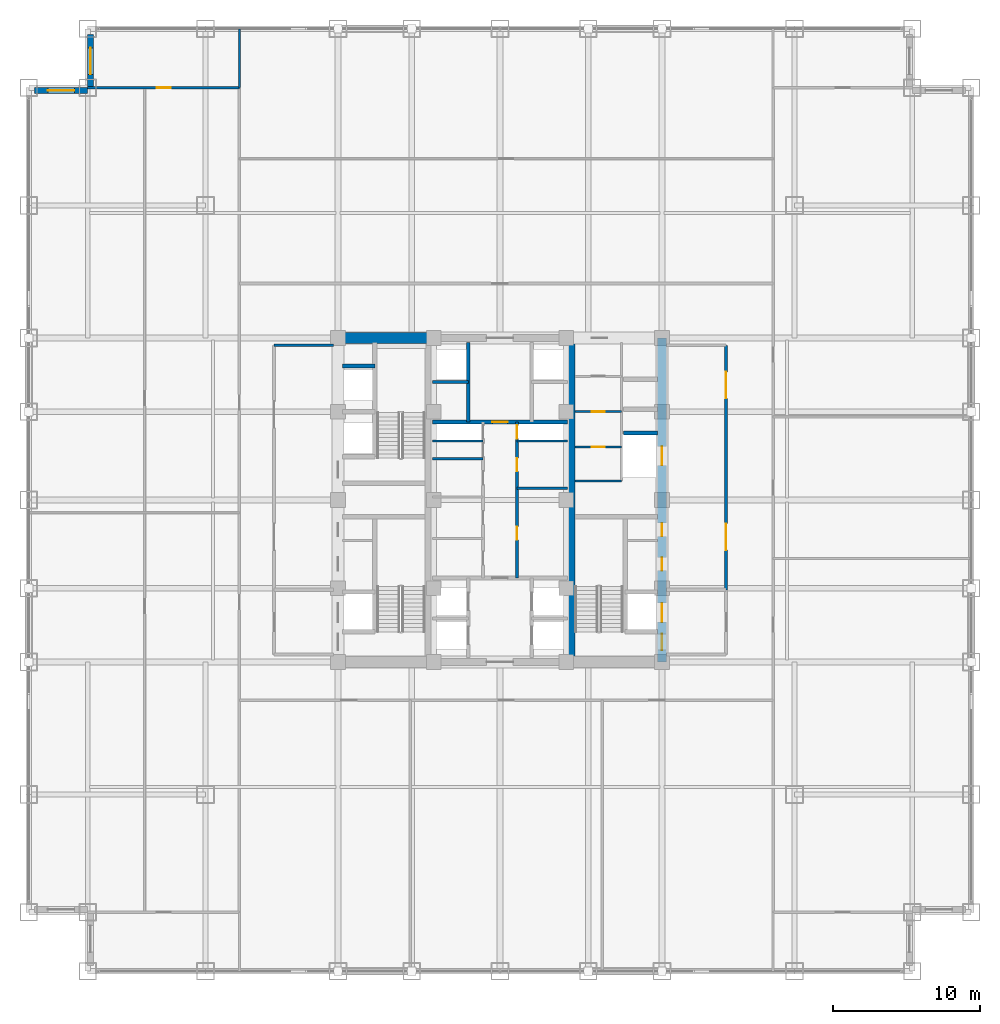
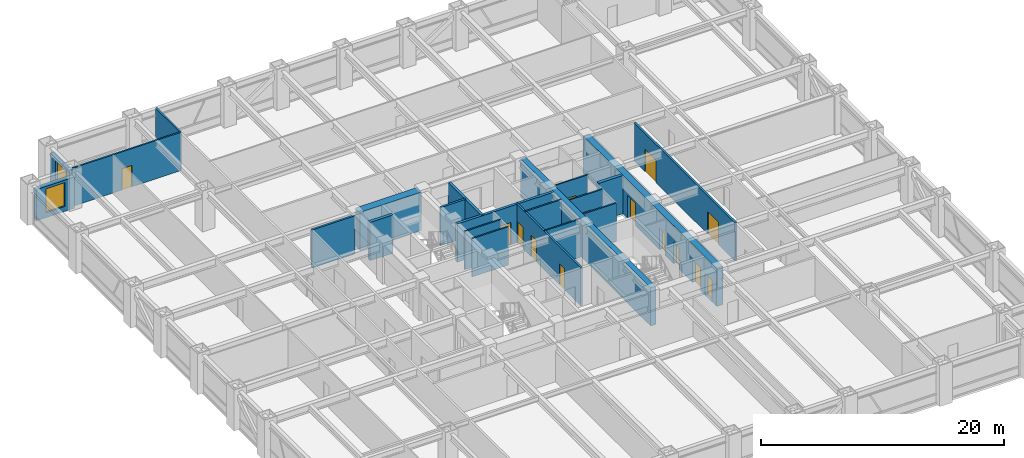
# One storey, part 25 of 27: 22 walls, 14 doors, 2 windows, 16 openings.
"""IFC4 building model written with IfcOpenShell, lengths in metres."""

import ifcopenshell
import ifcopenshell.guid

model = None  # the IFC model being written
_history = None  # IfcOwnerHistory: only IFC2X3 demands one
_inside = {}  # id of a spatial element -> (the spatial element, [elements in it])
_under = {}  # id of a project, library or spatial element -> (it, [spatial elements below it])
_declared = {}  # id of a project -> (the project, [libraries it declares])
_typed = {}  # id of a type object -> (the type object, [elements of that type])
_made_of = {}  # id of a material, layer set ... -> (it, [elements and type objects made of it])


def new_model(schema):
    """Start an empty IFC model of exactly this schema.

    Asked for "IFC4X3", IfcOpenShell would pick the latest addendum, in which some entities
    have other attributes; the version numbers below select the first issue.
    IFC2X3 requires an IfcOwnerHistory on every rooted entity: one is made here for all.
    """
    global model, _history
    if schema == "IFC4X3":
        model = ifcopenshell.file(schema_version=(4, 3, 0, 0))
    else:
        model = ifcopenshell.file(schema=schema)
    _inside.clear()
    _under.clear()
    _declared.clear()
    _typed.clear()
    _made_of.clear()
    _history = None
    if model.schema == "IFC2X3":
        org = make("IfcOrganization", Name="unknown")
        user = make(
            "IfcPersonAndOrganization",
            ThePerson=make("IfcPerson", FamilyName="unknown"),
            TheOrganization=org,
        )
        app = make(
            "IfcApplication",
            ApplicationDeveloper=org,
            Version="unknown",
            ApplicationFullName="unknown",
            ApplicationIdentifier="unknown",
        )
        _history = make(
            "IfcOwnerHistory",
            OwningUser=user,
            OwningApplication=app,
            ChangeAction="ADDED",
            CreationDate=0,
        )
    return model


def make(cls, **values):
    """One entity of the class cls with the attributes given. An attribute that is None is left unset."""
    return model.create_entity(
        cls, **{name: value for name, value in values.items() if value is not None}
    )


def rooted(cls, **values):
    """An entity with a GlobalId (a new one), such as an element, a storey or a relation."""
    return make(cls, GlobalId=ifcopenshell.guid.new(), OwnerHistory=_history, **values)


def si_unit(unit_type, name, prefix=None):
    """IfcSIUnit, for example si_unit("LENGTHUNIT", "METRE", prefix="MILLI")."""
    return make("IfcSIUnit", UnitType=unit_type, Prefix=prefix, Name=name)


def assignment(units):
    """IfcUnitAssignment: the units of a project."""
    return None if units is None else make("IfcUnitAssignment", Units=units)


def point(xyz):
    """IfcCartesianPoint."""
    return None if xyz is None else make("IfcCartesianPoint", Coordinates=xyz)


def direction(xyz):
    """IfcDirection."""
    return None if xyz is None else make("IfcDirection", DirectionRatios=xyz)


def frame(location, z_axis=None, x_axis=None):
    """IfcAxis2Placement3D, a coordinate frame: its origin and axes. An axis left out is left unset."""
    return make(
        "IfcAxis2Placement3D",
        Location=point(location),
        Axis=direction(z_axis),
        RefDirection=direction(x_axis),
    )


def frame_2d(location, x_axis=None):
    """IfcAxis2Placement2D, a coordinate frame in the plane: its origin and x axis."""
    return make(
        "IfcAxis2Placement2D", Location=point(location), RefDirection=direction(x_axis)
    )


def origin():
    """The frame at (0, 0, 0) with its axes left unset."""
    return frame((0.0, 0.0, 0.0))


def place(relative_to, where):
    """IfcLocalPlacement: puts the frame where relative to a parent placement (None: the world)."""
    return make(
        "IfcLocalPlacement", PlacementRelTo=relative_to, RelativePlacement=where
    )


def context(
    kind, dimensions, precision=None, world=None, true_north=None, identifier=None
):
    """IfcGeometricRepresentationContext, for example the 3D "Model" context."""
    return make(
        "IfcGeometricRepresentationContext",
        ContextIdentifier=identifier,
        ContextType=kind,
        CoordinateSpaceDimension=dimensions,
        Precision=precision,
        WorldCoordinateSystem=world,
        TrueNorth=true_north,
    )


def subcontext(parent, identifier, kind, view, scale=None):
    """IfcGeometricRepresentationSubContext, for example "Body" below "Model"."""
    return make(
        "IfcGeometricRepresentationSubContext",
        ContextIdentifier=identifier,
        ContextType=kind,
        ParentContext=parent,
        TargetScale=scale,
        TargetView=view,
    )


def project(units=None, contexts=None):
    """IfcProject with its units and contexts."""
    return rooted(
        "IfcProject",
        Name="project",
        RepresentationContexts=contexts,
        UnitsInContext=assignment(units),
    )


def spatial(cls, under=None, at=None, **own):
    """A site, building, storey or space (cls), placed at a placement, below another one or the project."""
    s = rooted(cls, ObjectPlacement=at, **own)
    if under is not None:
        _under.setdefault(under.id(), (under, []))[1].append(s)
    return s


def profile(cls, at=None, kind="AREA", **sizes):
    """A parametric profile (cls). Its sizes go by their IFC names, for example OverallWidth=200.0."""
    return make(cls, ProfileType=kind, Position=at, **sizes)


def rectangle(**sizes):
    """IfcRectangleProfileDef."""
    return profile("IfcRectangleProfileDef", **sizes)


def extrude(swept, where, along, depth):
    """IfcExtrudedAreaSolid: the profile swept, set in the frame where, extruded along a direction by depth."""
    return make(
        "IfcExtrudedAreaSolid",
        SweptArea=swept,
        Position=where,
        ExtrudedDirection=direction(along),
        Depth=depth,
    )


def shape(context_of_items, identifier, shape_type, items):
    """IfcShapeRepresentation: the items that make up one representation, for example the "Body"."""
    return make(
        "IfcShapeRepresentation",
        ContextOfItems=context_of_items,
        RepresentationIdentifier=identifier,
        RepresentationType=shape_type,
        Items=items,
    )


def source(mapping_origin, context_of_items, identifier, shape_type, items):
    """IfcRepresentationMap: a shape defined once, which mapped items show again and again."""
    return make(
        "IfcRepresentationMap",
        MappingOrigin=mapping_origin,
        MappedRepresentation=shape(context_of_items, identifier, shape_type, items),
    )


def transform(
    local_origin,
    x_axis=None,
    y_axis=None,
    z_axis=None,
    scale=None,
    scale2=None,
    scale3=None,
    uniform=True,
):
    """IfcCartesianTransformationOperator3D, or its non-uniform kind. x_axis, y_axis, z_axis: its Axis1, 2, 3."""
    if uniform:
        return make(
            "IfcCartesianTransformationOperator3D",
            Axis1=direction(x_axis),
            Axis2=direction(y_axis),
            LocalOrigin=point(local_origin),
            Scale=scale,
            Axis3=direction(z_axis),
        )
    return make(
        "IfcCartesianTransformationOperator3DnonUniform",
        Axis1=direction(x_axis),
        Axis2=direction(y_axis),
        LocalOrigin=point(local_origin),
        Scale=scale,
        Axis3=direction(z_axis),
        Scale2=scale2,
        Scale3=scale3,
    )


def mapped(mapping_source, mapping_target):
    """IfcMappedItem: shows the shape of a source again, moved by a transform."""
    return make(
        "IfcMappedItem", MappingSource=mapping_source, MappingTarget=mapping_target
    )


def material(Name=None, Category=None):
    """IfcMaterial."""
    return make("IfcMaterial", Name=Name, Category=Category)


def layer(
    of_material, thickness, ventilated=None, Name=None, Category=None, Priority=None
):
    """IfcMaterialLayer: one layer of a wall or slab, of a material (None: an air gap)."""
    return make(
        "IfcMaterialLayer",
        Material=of_material,
        LayerThickness=thickness,
        IsVentilated=ventilated,
        Name=Name,
        Category=Category,
        Priority=Priority,
    )


def layer_set(layers, Name=None):
    """IfcMaterialLayerSet."""
    return make("IfcMaterialLayerSet", MaterialLayers=layers, LayerSetName=Name)


def made_of(thing, what):
    """Note that an element or type object is made of a material, layer set ...; save() writes the relation."""
    if what is not None:
        _made_of.setdefault(what.id(), (what, []))[1].append(thing)
    return thing


def type_object(cls, material=None, **own):
    """A type object (cls), such as IfcWallType, which elements share."""
    return made_of(rooted(cls, **own), material)


def element(
    cls,
    number,
    at=None,
    inside=None,
    cuts=None,
    type_object=None,
    material=None,
    context=None,
    identifier="Body",
    shape_type=None,
    held_by="IfcProductDefinitionShape",
    body=None,
    shapes=None,
    **own,
):
    """One element of the class cls, such as IfcWall. Its Tag is "e" and its number.

    at: its placement. inside: the storey or other place that contains it. cuts: it is an
    opening in that element (IfcRelVoidsElement). A single representation is given by context,
    identifier, shape_type and body (its items); several are given by shapes. held_by: the class
    of the entity that holds the representations. save() writes the other relations.
    """
    e = rooted(cls, Tag="e%d" % number, ObjectPlacement=at, **own)
    if body is not None:
        shapes = [shape(context, identifier, shape_type, body)]
    if shapes is not None:
        e.Representation = make(held_by, Representations=shapes)
    if inside is not None:
        _inside.setdefault(inside.id(), (inside, []))[1].append(e)
    if cuts is not None:
        rooted(
            "IfcRelVoidsElement", RelatingBuildingElement=cuts, RelatedOpeningElement=e
        )
    if type_object is not None:
        _typed.setdefault(type_object.id(), (type_object, []))[1].append(e)
    return made_of(e, material)


def fill(opening, filler):
    """IfcRelFillsElement: the door or window that sits in an opening."""
    return rooted(
        "IfcRelFillsElement",
        RelatingOpeningElement=opening,
        RelatedBuildingElement=filler,
    )


def aggregate(whole, parts):
    """IfcRelAggregates: a whole, such as a stair, and the parts it consists of."""
    return rooted("IfcRelAggregates", RelatingObject=whole, RelatedObjects=parts)


def save(model, path):
    """Write the relations noted so far, then the file.

    IfcRelAggregates (storeys below a building ...), IfcRelContainedInSpatialStructure (elements
    in a storey), IfcRelDefinesByType, IfcRelAssociatesMaterial and IfcRelDeclares: one each for
    every whole, place, type object, material and project.
    """
    for whole, parts in _under.values():
        aggregate(whole, parts)
    for where, things in _inside.values():
        rooted(
            "IfcRelContainedInSpatialStructure",
            RelatedElements=things,
            RelatingStructure=where,
        )
    for kind, things in _typed.values():
        rooted("IfcRelDefinesByType", RelatedObjects=things, RelatingType=kind)
    for what, things in _made_of.values():
        rooted("IfcRelAssociatesMaterial", RelatedObjects=things, RelatingMaterial=what)
    for by, libraries in _declared.values():
        rooted("IfcRelDeclares", RelatingContext=by, RelatedDefinitions=libraries)
    model.write(path)


model = new_model("IFC4")

# Units and contexts
model_context = context("Model", 3, precision=1e-05, world=origin(), true_north=direction((0.0, 1.0)))
body_context = subcontext(model_context, "Body", "Model", "MODEL_VIEW")
ifc_project = project(units=[si_unit("LENGTHUNIT", "METRE"), si_unit("AREAUNIT", "SQUARE_METRE"), si_unit("VOLUMEUNIT", "CUBIC_METRE"), si_unit("PLANEANGLEUNIT", "RADIAN"), si_unit("MASSUNIT", "GRAM", prefix="KILO")], contexts=[model_context])

# Site, building, storey
site_placement = place(None, origin())
site = spatial("IfcSite", under=ifc_project, at=site_placement, CompositionType="ELEMENT")
building_placement = place(site_placement, origin())
building = spatial("IfcBuilding", under=site, at=building_placement, Name="Khorayat Bourse Tower", CompositionType="ELEMENT")
storey_placement = place(building_placement, frame((0.0, 0.0, 111.89990234375)))
storey = spatial("IfcBuildingStorey", under=building, at=storey_placement, Name="L25", CompositionType="ELEMENT", Elevation=111.89990234375)

# Wall, openings, doors
ifc_material_1 = material(Name="Concrete C60/75", Category="concrete")
ifc_layer_1 = layer(ifc_material_1, 0.60009765625)
ifc_layer_set_1 = layer_set([ifc_layer_1], Name="Concrete C60/75")
wall_type_1 = type_object("IfcWallType", Name="WAL-CORE-600", PredefinedType="SHEAR", material=ifc_layer_set_1)
shared_shape_1 = source(origin(), body_context, "Body", "SweptSolid", [
    extrude(rectangle(XDim=22.0, YDim=0.60009765625, at=frame_2d((11.0, 0.0))), origin(), (0.0, 0.0, 1.0), 3.840087890625),
])
wall_1_placement = place(storey_placement, frame((11.0, -11.0, 0.0), z_axis=(0.0, 0.0, 1.0), x_axis=(0.0, 1.0, 0.0)))
wall_1 = element("IfcWall", 1, at=wall_1_placement, inside=storey, type_object=wall_type_1, Name="L25 Core Shear Wall CORE-E", PredefinedType="SHEAR", context=body_context, shape_type="MappedRepresentation", body=[
    mapped(shared_shape_1, transform((0.0, 0.0, 0.0), scale=1.0)),
])
shared_shape_2 = source(origin(), body_context, "Body", "SweptSolid", [
    extrude(rectangle(XDim=1.10009765625, YDim=2.199951171875, at=frame_2d((0.550048828125, 1.10009765625))), frame((0.0, 0.31005859375, 0.0), z_axis=(0.0, -1.0, 0.0), x_axis=(1.0, 0.0, 0.0)), (0.0, 0.0, 1.0), 0.6201171875),
])
opening_1_placement = place(wall_1_placement, frame((0.800048828125, 0.0, 0.0)))
opening_1 = element("IfcOpeningElement", 2, at=opening_1_placement, cuts=wall_1, Name="Opening DI-01", PredefinedType="OPENING", context=body_context, shape_type="MappedRepresentation", body=[
    mapped(shared_shape_2, transform((0.0, 0.0, 0.0), scale=1.0)),
])
shared_shape_3 = source(origin(), body_context, "Body", "SweptSolid", [
    extrude(rectangle(XDim=0.89990234375, YDim=2.14990234375, at=frame_2d((0.449951171875, 1.074951171875))), frame((0.0, 0.31005859375, 0.0), z_axis=(0.0, -1.0, 0.0), x_axis=(1.0, 0.0, 0.0)), (0.0, 0.0, 1.0), 0.6201171875),
])
opening_2_placement = place(wall_1_placement, frame((6.199951171875, 0.0, 0.0)))
opening_2 = element("IfcOpeningElement", 3, at=opening_2_placement, cuts=wall_1, Name="Opening DI-06", PredefinedType="OPENING", context=body_context, shape_type="MappedRepresentation", body=[
    mapped(shared_shape_3, transform((0.0, 0.0, 0.0), scale=1.0)),
])
opening_3_placement = place(wall_1_placement, frame((8.52490234375, 0.0, 0.0)))
opening_3 = element("IfcOpeningElement", 4, at=opening_3_placement, cuts=wall_1, Name="Opening DI-06", PredefinedType="OPENING", context=body_context, shape_type="MappedRepresentation", body=[
    mapped(shared_shape_3, transform((0.0, 0.0, 0.0), scale=1.0)),
])
shared_shape_4 = source(origin(), body_context, "Body", "SweptSolid", [
    extrude(rectangle(XDim=1.300048828125, YDim=2.300048828125, at=frame_2d((0.64990234375, 1.14990234375))), frame((0.0, 0.31005859375, 0.0), z_axis=(0.0, -1.0, 0.0), x_axis=(1.0, 0.0, 0.0)), (0.0, 0.0, 1.0), 0.6201171875),
])
opening_4_placement = place(wall_1_placement, frame((2.699951171875, 0.0, 0.0)))
opening_4 = element("IfcOpeningElement", 5, at=opening_4_placement, cuts=wall_1, Name="Opening LD-02", PredefinedType="OPENING", context=body_context, shape_type="MappedRepresentation", body=[
    mapped(shared_shape_4, transform((0.0, 0.0, 0.0), scale=1.0)),
])
opening_5_placement = place(wall_1_placement, frame((13.35009765625, 0.0, 0.0)))
opening_5 = element("IfcOpeningElement", 6, at=opening_5_placement, cuts=wall_1, Name="Opening LD-02", PredefinedType="OPENING", context=body_context, shape_type="MappedRepresentation", body=[
    mapped(shared_shape_4, transform((0.0, 0.0, 0.0), scale=1.0)),
])
ifc_material_2 = material(Name="Fire-rated steel acoustic leaf", Category="steel")
door_type_1 = type_object("IfcDoorType", Name="DR-INT-STAIR-1100", OperationType="NOTDEFINED", PredefinedType="DOOR", material=ifc_material_2)
shared_shape_5 = source(origin(), body_context, "Body", "SweptSolid", [
    extrude(rectangle(XDim=1.10009765625, YDim=2.199951171875, at=frame_2d((0.550048828125, 1.10009765625))), frame((0.0, 0.02490234375, 0.0), z_axis=(0.0, -1.0, 0.0), x_axis=(1.0, 0.0, 0.0)), (0.0, 0.0, 1.0), 0.050048828125),
])
door_1_placement = place(opening_1_placement, origin())
door_1 = element("IfcDoor", 7, at=door_1_placement, inside=storey, type_object=door_type_1, Name="L25 Exit Stair 3 Door", OperationType="SINGLE_SWING_LEFT", OverallHeight=2.199951171875, OverallWidth=1.10009765625, PredefinedType="DOOR", context=body_context, shape_type="MappedRepresentation", body=[
    mapped(shared_shape_5, transform((0.0, 0.0, 0.0), scale=1.0)),
])
fill(opening_1, door_1)
ifc_material_3 = material(Name="Moisture-resistant laminate washroom door")
door_type_2 = type_object("IfcDoorType", Name="DR-INT-WC-900", OperationType="NOTDEFINED", PredefinedType="DOOR", material=ifc_material_3)
shared_shape_6 = source(origin(), body_context, "Body", "SweptSolid", [
    extrude(rectangle(XDim=0.89990234375, YDim=2.14990234375, at=frame_2d((0.449951171875, 1.074951171875))), frame((0.0, 0.02490234375, 0.0), z_axis=(0.0, -1.0, 0.0), x_axis=(1.0, 0.0, 0.0)), (0.0, 0.0, 1.0), 0.050048828125),
])
door_2_placement = place(opening_2_placement, origin())
door_2 = element("IfcDoor", 8, at=door_2_placement, inside=storey, type_object=door_type_2, Name="L25 Telecom Closet Door", OperationType="SINGLE_SWING_LEFT", OverallHeight=2.14990234375, OverallWidth=0.89990234375, PredefinedType="DOOR", context=body_context, shape_type="MappedRepresentation", body=[
    mapped(shared_shape_6, transform((0.0, 0.0, 0.0), scale=1.0)),
])
fill(opening_2, door_2)
door_3_placement = place(opening_3_placement, origin())
door_3 = element("IfcDoor", 9, at=door_3_placement, inside=storey, type_object=door_type_2, Name="L25 Stationery Store Door", OperationType="SINGLE_SWING_RIGHT", OverallHeight=2.14990234375, OverallWidth=0.89990234375, PredefinedType="DOOR", context=body_context, shape_type="MappedRepresentation", body=[
    mapped(shared_shape_6, transform((0.0, 0.0, 0.0), scale=1.0)),
])
fill(opening_3, door_3)
ifc_material_4 = material(Name="Fire-rated stainless-steel sliding landing door", Category="steel")
door_type_3 = type_object("IfcDoorType", Name="DR-LIFT-FF-1300", OperationType="NOTDEFINED", PredefinedType="DOOR", material=ifc_material_4)
shared_shape_7 = source(origin(), body_context, "Body", "SweptSolid", [
    extrude(rectangle(XDim=1.300048828125, YDim=2.300048828125, at=frame_2d((0.64990234375, 1.14990234375))), frame((0.0, 0.02490234375, 0.0), z_axis=(0.0, -1.0, 0.0), x_axis=(1.0, 0.0, 0.0)), (0.0, 0.0, 1.0), 0.050048828125),
])
door_4_placement = place(opening_4_placement, origin())
door_4 = element("IfcDoor", 10, at=door_4_placement, inside=storey, type_object=door_type_3, Name="L25 Lift FFL-02 Sliding Landing Door", OperationType="SLIDING_TO_LEFT", OverallHeight=2.300048828125, OverallWidth=1.300048828125, PredefinedType="DOOR", context=body_context, shape_type="MappedRepresentation", body=[
    mapped(shared_shape_7, transform((0.0, 0.0, 0.0), scale=1.0)),
])
fill(opening_4, door_4)
door_5_placement = place(opening_5_placement, origin())
door_5 = element("IfcDoor", 11, at=door_5_placement, inside=storey, type_object=door_type_3, Name="L25 Lift SVL-01 Sliding Landing Door", OperationType="SLIDING_TO_LEFT", OverallHeight=2.300048828125, OverallWidth=1.300048828125, PredefinedType="DOOR", context=body_context, shape_type="MappedRepresentation", body=[
    mapped(shared_shape_7, transform((0.0, 0.0, 0.0), scale=1.0)),
])
fill(opening_5, door_5)

# Walls
ifc_material_5 = material(Name="Concrete C52/65", Category="concrete")
ifc_layer_2 = layer(ifc_material_5, 0.5)
ifc_layer_set_2 = layer_set([ifc_layer_2], Name="Concrete C52/65")
wall_type_2 = type_object("IfcWallType", Name="WAL-CORE-500", PredefinedType="SHEAR", material=ifc_layer_set_2)
shared_shape_8 = source(origin(), body_context, "Body", "SweptSolid", [
    extrude(rectangle(XDim=21.39990234375, YDim=0.5, at=frame_2d((10.699951171875, 0.0))), origin(), (0.0, 0.0, 1.0), 3.840087890625),
])
wall_2_placement = place(storey_placement, frame((4.85009765625, -10.699951171875, 0.0), z_axis=(0.0, 0.0, 1.0), x_axis=(0.0, 1.0, 0.0)))
element("IfcWall", 12, at=wall_2_placement, inside=storey, type_object=wall_type_2, Name="L25 Core Shear Wall PIER-E", PredefinedType="SHEAR", context=body_context, shape_type="MappedRepresentation", body=[
    mapped(shared_shape_8, transform((0.0, 0.0, 0.0), scale=1.0)),
])
ifc_material_6 = material(Name="Concrete C72/90", Category="concrete")
ifc_layer_3 = layer(ifc_material_6, 0.75)
ifc_layer_set_3 = layer_set([ifc_layer_3], Name="Concrete C72/90")
wall_type_3 = type_object("IfcWallType", Name="WAL-CORE-750", PredefinedType="SHEAR", material=ifc_layer_set_3)
shared_shape_9 = source(origin(), body_context, "Body", "SweptSolid", [
    extrude(rectangle(XDim=5.849853515625, YDim=0.75, at=frame_2d((2.9248046875, 0.0))), origin(), (0.0, 0.0, 1.0), 3.840087890625),
])
wall_3_placement = place(storey_placement, frame((-10.699951171875, 11.0, 0.0), z_axis=(0.0, 0.0, 1.0), x_axis=(1.0, 0.0, 0.0)))
element("IfcWall", 13, at=wall_3_placement, inside=storey, type_object=wall_type_3, Name="L25 Core Shear Wall PIER-WN", PredefinedType="SHEAR", context=body_context, shape_type="MappedRepresentation", body=[
    mapped(shared_shape_9, transform((0.0, 0.0, 0.0), scale=1.0)),
])

# Wall, opening, window
ifc_material_7 = material(Name="Precast concrete C45/55", Category="concrete")
ifc_layer_4 = layer(ifc_material_7, 0.3798828125)
ifc_layer_set_4 = layer_set([ifc_layer_4], Name="Precast concrete C45/55")
wall_type_4 = type_object("IfcWallType", Name="WAL-EXT-STONE-380", PredefinedType="STANDARD", material=ifc_layer_set_4)
shared_shape_10 = source(origin(), body_context, "Body", "SweptSolid", [
    extrude(rectangle(XDim=3.6201171875, YDim=0.3798828125, at=frame_2d((1.81005859375, 0.0))), origin(), (0.0, 0.0, 1.0), 3.14501953125),
])
wall_4_placement = place(storey_placement, frame((-27.81005859375, 28.0, 0.0), z_axis=(0.0, 0.0, 1.0), x_axis=(0.0, 1.0, 0.0)))
wall_4 = element("IfcWall", 14, at=wall_4_placement, inside=storey, type_object=wall_type_4, Name="L25 Re-Entrant Notch Limestone Wall NW-V", PredefinedType="STANDARD", context=body_context, shape_type="MappedRepresentation", body=[
    mapped(shared_shape_10, transform((0.0, 0.0, 0.0), scale=1.0)),
])
shared_shape_11 = source(origin(), body_context, "Body", "SweptSolid", [
    extrude(rectangle(XDim=1.800048828125, YDim=2.39990234375, at=frame_2d((0.89990234375, 1.199951171875))), frame((0.0, 0.199951171875, 0.0), z_axis=(0.0, -1.0, 0.0), x_axis=(1.0, 0.0, 0.0)), (0.0, 0.0, 1.0), 0.39990234375),
])
opening_6_placement = place(wall_4_placement, frame((0.909912109375, 0.0, 0.5)))
opening_6 = element("IfcOpeningElement", 15, at=opening_6_placement, cuts=wall_4, Name="Opening WN-04", PredefinedType="OPENING", context=body_context, shape_type="MappedRepresentation", body=[
    mapped(shared_shape_11, transform((0.0, 0.0, 0.0), scale=1.0)),
])
ifc_material_8 = material(Name="Low-E acoustic laminated double glazing", Category="glass")
window_type = type_object("IfcWindowType", Name="WIN-NOTCH-1800x2400", PartitioningType="SINGLE_PANEL", PredefinedType="WINDOW", material=ifc_material_8)
shared_shape_12 = source(origin(), body_context, "Body", "SweptSolid", [
    extrude(rectangle(XDim=1.800048828125, YDim=2.39990234375, at=frame_2d((0.89990234375, 1.199951171875))), frame((0.0, 0.030029296875, 0.0), z_axis=(0.0, -1.0, 0.0), x_axis=(1.0, 0.0, 0.0)), (0.0, 0.0, 1.0), 0.06005859375),
])
window_1_placement = place(opening_6_placement, origin())
window_1 = element("IfcWindow", 16, at=window_1_placement, inside=storey, type_object=window_type, Name="L25 Facade Window 1", OverallHeight=2.39990234375, OverallWidth=1.800048828125, PartitioningType="SINGLE_PANEL", PredefinedType="WINDOW", context=body_context, shape_type="MappedRepresentation", body=[
    mapped(shared_shape_12, transform((0.0, 0.0, 0.0), scale=1.0)),
])
fill(opening_6, window_1)

wall_5_placement = place(storey_placement, frame((-28.0, 27.81005859375, 0.0), z_axis=(0.0, 0.0, 1.0), x_axis=(-1.0, 0.0, 0.0)))
wall_5 = element("IfcWall", 17, at=wall_5_placement, inside=storey, type_object=wall_type_4, Name="L25 Re-Entrant Notch Limestone Wall NW-H", PredefinedType="STANDARD", context=body_context, shape_type="MappedRepresentation", body=[
    mapped(shared_shape_10, transform((0.0, 0.0, 0.0), scale=1.0)),
])
opening_7_placement = place(wall_5_placement, frame((0.909912109375, 0.0, 0.5)))
opening_7 = element("IfcOpeningElement", 18, at=opening_7_placement, cuts=wall_5, Name="Opening WN-04", PredefinedType="OPENING", context=body_context, shape_type="MappedRepresentation", body=[
    mapped(shared_shape_11, transform((0.0, 0.0, 0.0), scale=1.0)),
])
window_2_placement = place(opening_7_placement, origin())
window_2 = element("IfcWindow", 19, at=window_2_placement, inside=storey, type_object=window_type, Name="L25 Facade Window 1", OverallHeight=2.39990234375, OverallWidth=1.800048828125, PartitioningType="SINGLE_PANEL", PredefinedType="WINDOW", context=body_context, shape_type="MappedRepresentation", body=[
    mapped(shared_shape_12, transform((0.0, 0.0, 0.0), scale=1.0)),
])
fill(opening_7, window_2)

# Walls
ifc_material_9 = material(Name="Concrete C50/60", Category="concrete")
ifc_layer_5 = layer(ifc_material_9, 0.300048828125)
ifc_layer_set_5 = layer_set([ifc_layer_5], Name="Concrete C50/60")
wall_type_5 = type_object("IfcWallType", Name="WAL-SHAFT-300", PredefinedType="SHEAR", material=ifc_layer_set_5)
shared_shape_13 = source(origin(), body_context, "Body", "SweptSolid", [
    extrude(rectangle(XDim=2.199951171875, YDim=0.300048828125, at=frame_2d((1.10009765625, 0.0))), origin(), (0.0, 0.0, 1.0), 3.840087890625),
])
wall_6_placement = place(storey_placement, frame((-10.699951171875, 9.10009765625, 0.0), z_axis=(0.0, 0.0, 1.0), x_axis=(1.0, 0.0, 0.0)))
element("IfcWall", 20, at=wall_6_placement, inside=storey, type_object=wall_type_5, Name="L25 Partition WAL-L25-WPIER-H2N", PredefinedType="SHEAR", context=body_context, shape_type="MappedRepresentation", body=[
    mapped(shared_shape_13, transform((0.0, 0.0, 0.0), scale=1.0)),
])
shared_shape_14 = source(origin(), body_context, "Body", "SweptSolid", [
    extrude(rectangle(XDim=2.300048828125, YDim=0.300048828125, at=frame_2d((1.14990234375, 0.0))), origin(), (0.0, 0.0, 1.0), 3.840087890625),
])
wall_7_placement = place(storey_placement, frame((8.39990234375, 4.550048828125, 0.0), z_axis=(0.0, 0.0, 1.0), x_axis=(1.0, 0.0, 0.0)))
element("IfcWall", 21, at=wall_7_placement, inside=storey, type_object=wall_type_5, Name="L25 Partition WAL-L25-EPIER-SVLN", PredefinedType="SHEAR", context=body_context, shape_type="MappedRepresentation", body=[
    mapped(shared_shape_14, transform((0.0, 0.0, 0.0), scale=1.0)),
])
ifc_material_10 = material(Name="Moisture-resistant masonry partition", Category="masonry")
ifc_layer_6 = layer(ifc_material_10, 0.139892578125)
ifc_layer_set_6 = layer_set([ifc_layer_6], Name="Moisture-resistant masonry partition")
wall_type_6 = type_object("IfcWallType", Name="WAL-PART-WET-140", PredefinedType="PARTITIONING", material=ifc_layer_set_6)
shared_shape_15 = source(origin(), body_context, "Body", "SweptSolid", [
    extrude(rectangle(XDim=3.14990234375, YDim=0.139892578125, at=frame_2d((1.574951171875, 0.0))), origin(), (0.0, 0.0, 1.0), 3.840087890625),
])
wall_8_placement = place(storey_placement, frame((5.10009765625, 1.300048828125, 0.0), z_axis=(0.0, 0.0, 1.0), x_axis=(1.0, 0.0, 0.0)))
element("IfcWall", 22, at=wall_8_placement, inside=storey, type_object=wall_type_6, Name="L25 Partition WAL-L25-ECORE-S", PredefinedType="PARTITIONING", context=body_context, shape_type="MappedRepresentation", body=[
    mapped(shared_shape_15, transform((0.0, 0.0, 0.0), scale=1.0)),
])

# Wall, opening, door
wall_9_placement = place(storey_placement, frame((5.10009765625, 6.0, 0.0), z_axis=(0.0, 0.0, 1.0), x_axis=(1.0, 0.0, 0.0)))
wall_9 = element("IfcWall", 23, at=wall_9_placement, inside=storey, type_object=wall_type_6, Name="L25 Partition WAL-L25-ECW-H1", PredefinedType="PARTITIONING", context=body_context, shape_type="MappedRepresentation", body=[
    mapped(shared_shape_15, transform((0.0, 0.0, 0.0), scale=1.0)),
])
shared_shape_16 = source(origin(), body_context, "Body", "SweptSolid", [
    extrude(rectangle(XDim=0.89990234375, YDim=2.14990234375, at=frame_2d((0.449951171875, 1.074951171875))), frame((0.0, 0.079833984375, 0.0), z_axis=(0.0, -1.0, 0.0), x_axis=(1.0, 0.0, 0.0)), (0.0, 0.0, 1.0), 0.159912109375),
])
opening_8_placement = place(wall_9_placement, frame((1.1298828125, 0.0, 0.0)))
opening_8 = element("IfcOpeningElement", 24, at=opening_8_placement, cuts=wall_9, Name="Opening DI-06", PredefinedType="OPENING", context=body_context, shape_type="MappedRepresentation", body=[
    mapped(shared_shape_16, transform((0.0, 0.0, 0.0), scale=1.0)),
])
door_6_placement = place(opening_8_placement, origin())
door_6 = element("IfcDoor", 25, at=door_6_placement, inside=storey, type_object=door_type_2, Name="L25 Shared Washroom Door", OperationType="SINGLE_SWING_RIGHT", OverallHeight=2.14990234375, OverallWidth=0.89990234375, PredefinedType="DOOR", context=body_context, shape_type="MappedRepresentation", body=[
    mapped(shared_shape_6, transform((0.0, 0.0, 0.0), scale=1.0)),
])
fill(opening_8, door_6)

wall_10_placement = place(storey_placement, frame((5.10009765625, 3.60009765625, 0.0), z_axis=(0.0, 0.0, 1.0), x_axis=(1.0, 0.0, 0.0)))
wall_10 = element("IfcWall", 26, at=wall_10_placement, inside=storey, type_object=wall_type_6, Name="L25 Partition WAL-L25-ECW-H2", PredefinedType="PARTITIONING", context=body_context, shape_type="MappedRepresentation", body=[
    mapped(shared_shape_15, transform((0.0, 0.0, 0.0), scale=1.0)),
])
opening_9_placement = place(wall_10_placement, frame((1.1298828125, 0.0, 0.0)))
opening_9 = element("IfcOpeningElement", 27, at=opening_9_placement, cuts=wall_10, Name="Opening DI-06", PredefinedType="OPENING", context=body_context, shape_type="MappedRepresentation", body=[
    mapped(shared_shape_16, transform((0.0, 0.0, 0.0), scale=1.0)),
])
door_7_placement = place(opening_9_placement, origin())
door_7 = element("IfcDoor", 28, at=door_7_placement, inside=storey, type_object=door_type_2, Name="L25 Staff Washroom Door", OperationType="SINGLE_SWING_LEFT", OverallHeight=2.14990234375, OverallWidth=0.89990234375, PredefinedType="DOOR", context=body_context, shape_type="MappedRepresentation", body=[
    mapped(shared_shape_6, transform((0.0, 0.0, 0.0), scale=1.0)),
])
fill(opening_9, door_7)

# Wall
ifc_material_11 = material(Name="Gypsum plasterboard acoustic stud wall")
ifc_layer_7 = layer(ifc_material_11, 0.179931640625)
ifc_layer_set_7 = layer_set([ifc_layer_7], Name="Gypsum plasterboard acoustic stud wall")
wall_type_7 = type_object("IfcWallType", Name="WAL-PART-CORR-180", PredefinedType="PARTITIONING", material=ifc_layer_set_7)
shared_shape_17 = source(origin(), body_context, "Body", "SweptSolid", [
    extrude(rectangle(XDim=4.050048828125, YDim=0.179931640625, at=frame_2d((2.02490234375, 0.0))), origin(), (0.0, 0.0, 1.0), 3.840087890625),
])
wall_11_placement = place(storey_placement, frame((-15.35009765625, 10.5, 0.0), z_axis=(0.0, 0.0, 1.0), x_axis=(1.0, 0.0, 0.0)))
element("IfcWall", 29, at=wall_11_placement, inside=storey, type_object=wall_type_7, Name="L25 Partition WAL-L25-WLOB-N", PredefinedType="PARTITIONING", context=body_context, shape_type="MappedRepresentation", body=[
    mapped(shared_shape_17, transform((0.0, 0.0, 0.0), scale=1.0)),
])

# Wall, openings, doors
shared_shape_18 = source(origin(), body_context, "Body", "SweptSolid", [
    extrude(rectangle(XDim=16.60009765625, YDim=0.179931640625, at=frame_2d((8.300048828125, 0.0))), origin(), (0.0, 0.0, 1.0), 3.840087890625),
])
wall_12_placement = place(storey_placement, frame((15.35009765625, -6.10009765625, 0.0), z_axis=(0.0, 0.0, 1.0), x_axis=(0.0, 1.0, 0.0)))
wall_12 = element("IfcWall", 30, at=wall_12_placement, inside=storey, type_object=wall_type_7, Name="L25 Partition WAL-L25-ELOB-E", PredefinedType="PARTITIONING", context=body_context, shape_type="MappedRepresentation", body=[
    mapped(shared_shape_18, transform((0.0, 0.0, 0.0), scale=1.0)),
])
shared_shape_19 = source(origin(), body_context, "Body", "SweptSolid", [
    extrude(rectangle(XDim=1.800048828125, YDim=2.25, at=frame_2d((0.89990234375, 1.125))), frame((0.0, 0.099853515625, 0.0), z_axis=(0.0, -1.0, 0.0), x_axis=(1.0, 0.0, 0.0)), (0.0, 0.0, 1.0), 0.199951171875),
])
opening_10_placement = place(wall_12_placement, frame((2.699951171875, 0.0, 0.0)))
opening_10 = element("IfcOpeningElement", 31, at=opening_10_placement, cuts=wall_12, Name="Opening DI-03", PredefinedType="OPENING", context=body_context, shape_type="MappedRepresentation", body=[
    mapped(shared_shape_19, transform((0.0, 0.0, 0.0), scale=1.0)),
])
opening_11_placement = place(wall_12_placement, frame((13.0, 0.0, 0.0)))
opening_11 = element("IfcOpeningElement", 32, at=opening_11_placement, cuts=wall_12, Name="Opening DI-03", PredefinedType="OPENING", context=body_context, shape_type="MappedRepresentation", body=[
    mapped(shared_shape_19, transform((0.0, 0.0, 0.0), scale=1.0)),
])
ifc_material_12 = material(Name="Fire-rated hardwood vision-panel double leaf", Category="wood")
door_type_4 = type_object("IfcDoorType", Name="DR-INT-CORR-1800", OperationType="NOTDEFINED", PredefinedType="DOOR", material=ifc_material_12)
shared_shape_20 = source(origin(), body_context, "Body", "SweptSolid", [
    extrude(rectangle(XDim=1.800048828125, YDim=2.25, at=frame_2d((0.89990234375, 1.125))), frame((0.0, 0.02490234375, 0.0), z_axis=(0.0, -1.0, 0.0), x_axis=(1.0, 0.0, 0.0)), (0.0, 0.0, 1.0), 0.050048828125),
])
door_8_placement = place(opening_10_placement, origin())
door_8 = element("IfcDoor", 33, at=door_8_placement, inside=storey, type_object=door_type_4, Name="L25 East Core Lobby South Door", OperationType="SINGLE_SWING_RIGHT", OverallHeight=2.25, OverallWidth=1.800048828125, PredefinedType="DOOR", context=body_context, shape_type="MappedRepresentation", body=[
    mapped(shared_shape_20, transform((0.0, 0.0, 0.0), scale=1.0)),
])
fill(opening_10, door_8)
door_9_placement = place(opening_11_placement, origin())
door_9 = element("IfcDoor", 34, at=door_9_placement, inside=storey, type_object=door_type_4, Name="L25 East Core Lobby North Door", OperationType="SINGLE_SWING_LEFT", OverallHeight=2.25, OverallWidth=1.800048828125, PredefinedType="DOOR", context=body_context, shape_type="MappedRepresentation", body=[
    mapped(shared_shape_20, transform((0.0, 0.0, 0.0), scale=1.0)),
])
fill(opening_11, door_9)

# Walls
ifc_material_13 = material(Name="Gypsum plasterboard twin-frame partition")
ifc_layer_8 = layer(ifc_material_13, 0.14990234375)
ifc_layer_set_8 = layer_set([ifc_layer_8], Name="Gypsum plasterboard twin-frame partition")
wall_type_8 = type_object("IfcWallType", Name="WAL-PART-SUITE-150", PredefinedType="PARTITIONING", material=ifc_layer_set_8)
shared_shape_21 = source(origin(), body_context, "Body", "SweptSolid", [
    extrude(rectangle(XDim=3.4501953125, YDim=0.14990234375, at=frame_2d((1.72509765625, 0.0))), origin(), (0.0, 0.0, 1.0), 3.840087890625),
])
for number, where, z_axis, x_axis, name in (
    (35, (-4.60009765625, 4.0, 0.0), (0.0, 0.0, 1.0), (1.0, 0.0, 0.0), "L25 Partition WAL-L25-CRSW-S"),
    (36, (1.14990234375, 4.0, 0.0), (0.0, 0.0, 1.0), (1.0, 0.0, 0.0), "L25 Partition WAL-L25-CRSE-S"),
):
    element("IfcWall", number, at=place(storey_placement, frame(where, z_axis=z_axis, x_axis=x_axis)), inside=storey, type_object=wall_type_8, Name=name, PredefinedType="PARTITIONING", context=body_context, shape_type="MappedRepresentation", body=[
        mapped(shared_shape_21, transform((0.0, 0.0, 0.0), scale=1.0)),
    ])
shared_shape_22 = source(origin(), body_context, "Body", "SweptSolid", [
    extrude(rectangle(XDim=5.39990234375, YDim=0.25, at=frame_2d((2.699951171875, 0.0))), origin(), (0.0, 0.0, 1.0), 3.840087890625),
])
wall_13_placement = place(storey_placement, frame((-2.14990234375, 5.300048828125, 0.0), z_axis=(0.0, 0.0, 1.0), x_axis=(0.0, 1.0, 0.0)))
element("IfcWall", 37, at=wall_13_placement, inside=storey, type_object=wall_type_5, Name="L25 Partition WAL-L25-B2-W", PredefinedType="SHEAR", context=body_context, shape_type="MappedRepresentation", body=[
    mapped(shared_shape_22, transform((0.0, 0.0, 0.0), scale=1.0)),
])
shared_shape_23 = source(origin(), body_context, "Body", "SweptSolid", [
    extrude(rectangle(XDim=2.4501953125, YDim=0.199951171875, at=frame_2d((1.22509765625, 0.0))), origin(), (0.0, 0.0, 1.0), 3.840087890625),
])
wall_14_placement = place(storey_placement, frame((-4.60009765625, 8.0, 0.0), z_axis=(0.0, 0.0, 1.0), x_axis=(1.0, 0.0, 0.0)))
element("IfcWall", 38, at=wall_14_placement, inside=storey, type_object=wall_type_5, Name="L25 Partition WAL-L25-B2-MW", PredefinedType="SHEAR", context=body_context, shape_type="MappedRepresentation", body=[
    mapped(shared_shape_23, transform((0.0, 0.0, 0.0), scale=1.0)),
])

# Wall, opening, door
shared_shape_24 = source(origin(), body_context, "Body", "SweptSolid", [
    extrude(rectangle(XDim=9.2001953125, YDim=0.25, at=frame_2d((4.60009765625, 0.0))), origin(), (0.0, 0.0, 1.0), 3.840087890625),
])
wall_15_placement = place(storey_placement, frame((-4.60009765625, 5.300048828125, 0.0), z_axis=(0.0, 0.0, 1.0), x_axis=(1.0, 0.0, 0.0)))
wall_15 = element("IfcWall", 39, at=wall_15_placement, inside=storey, type_object=wall_type_5, Name="L25 Partition WAL-L25-B2-S", PredefinedType="SHEAR", context=body_context, shape_type="MappedRepresentation", body=[
    mapped(shared_shape_24, transform((0.0, 0.0, 0.0), scale=1.0)),
])
shared_shape_25 = source(origin(), body_context, "Body", "SweptSolid", [
    extrude(rectangle(XDim=1.050048828125, YDim=2.199951171875, at=frame_2d((0.52490234375, 1.10009765625))), frame((0.0, 0.135009765625, 0.0), z_axis=(0.0, -1.0, 0.0), x_axis=(1.0, 0.0, 0.0)), (0.0, 0.0, 1.0), 0.27001953125),
])
opening_12_placement = place(wall_15_placement, frame((4.074951171875, 0.0, 0.0)))
opening_12 = element("IfcOpeningElement", 40, at=opening_12_placement, cuts=wall_15, Name="Opening DI-04", PredefinedType="OPENING", context=body_context, shape_type="MappedRepresentation", body=[
    mapped(shared_shape_25, transform((0.0, 0.0, 0.0), scale=1.0)),
])
ifc_material_14 = material(Name="Fire-rated oak veneer suite entrance door")
door_type_5 = type_object("IfcDoorType", Name="DR-INT-SUITE-1050", OperationType="NOTDEFINED", PredefinedType="DOOR", material=ifc_material_14)
shared_shape_26 = source(origin(), body_context, "Body", "SweptSolid", [
    extrude(rectangle(XDim=1.050048828125, YDim=2.199951171875, at=frame_2d((0.52490234375, 1.10009765625))), frame((0.0, 0.02490234375, 0.0), z_axis=(0.0, -1.0, 0.0), x_axis=(1.0, 0.0, 0.0)), (0.0, 0.0, 1.0), 0.050048828125),
])
door_10_placement = place(opening_12_placement, origin())
door_10 = element("IfcDoor", 41, at=door_10_placement, inside=storey, type_object=door_type_5, Name="L25 Core Spine North Door", OperationType="SINGLE_SWING_RIGHT", OverallHeight=2.199951171875, OverallWidth=1.050048828125, PredefinedType="DOOR", context=body_context, shape_type="MappedRepresentation", body=[
    mapped(shared_shape_26, transform((0.0, 0.0, 0.0), scale=1.0)),
])
fill(opening_12, door_10)

# Wall, openings, doors
shared_shape_27 = source(origin(), body_context, "Body", "SweptSolid", [
    extrude(rectangle(XDim=10.60009765625, YDim=0.179931640625, at=frame_2d((5.300048828125, 0.0))), origin(), (0.0, 0.0, 1.0), 3.840087890625),
])
wall_16_placement = place(storey_placement, frame((1.14990234375, -5.300048828125, 0.0), z_axis=(0.0, 0.0, 1.0), x_axis=(0.0, 1.0, 0.0)))
wall_16 = element("IfcWall", 42, at=wall_16_placement, inside=storey, type_object=wall_type_7, Name="L25 Partition WAL-L25-CME-L", PredefinedType="PARTITIONING", context=body_context, shape_type="MappedRepresentation", body=[
    mapped(shared_shape_27, transform((0.0, 0.0, 0.0), scale=1.0)),
])
shared_shape_28 = source(origin(), body_context, "Body", "SweptSolid", [
    extrude(rectangle(XDim=0.89990234375, YDim=2.14990234375, at=frame_2d((0.449951171875, 1.074951171875))), frame((0.0, 0.099853515625, 0.0), z_axis=(0.0, -1.0, 0.0), x_axis=(1.0, 0.0, 0.0)), (0.0, 0.0, 1.0), 0.199951171875),
])
opening_13_placement = place(wall_16_placement, frame((2.60009765625, 0.0, 0.0)))
opening_13 = element("IfcOpeningElement", 43, at=opening_13_placement, cuts=wall_16, Name="Opening DI-06", PredefinedType="OPENING", context=body_context, shape_type="MappedRepresentation", body=[
    mapped(shared_shape_28, transform((0.0, 0.0, 0.0), scale=1.0)),
])
opening_14_placement = place(wall_16_placement, frame((7.25, 0.0, 0.0)))
opening_14 = element("IfcOpeningElement", 44, at=opening_14_placement, cuts=wall_16, Name="Opening DI-06", PredefinedType="OPENING", context=body_context, shape_type="MappedRepresentation", body=[
    mapped(shared_shape_28, transform((0.0, 0.0, 0.0), scale=1.0)),
])
opening_15_placement = place(wall_16_placement, frame((9.47509765625, 0.0, 0.0)))
opening_15 = element("IfcOpeningElement", 45, at=opening_15_placement, cuts=wall_16, Name="Opening DI-06", PredefinedType="OPENING", context=body_context, shape_type="MappedRepresentation", body=[
    mapped(shared_shape_28, transform((0.0, 0.0, 0.0), scale=1.0)),
])
door_11_placement = place(opening_13_placement, origin())
door_11 = element("IfcDoor", 46, at=door_11_placement, inside=storey, type_object=door_type_2, Name="L25 Female Core Washroom Door", OperationType="SINGLE_SWING_RIGHT", OverallHeight=2.14990234375, OverallWidth=0.89990234375, PredefinedType="DOOR", context=body_context, shape_type="MappedRepresentation", body=[
    mapped(shared_shape_6, transform((0.0, 0.0, 0.0), scale=1.0)),
])
fill(opening_13, door_11)
door_12_placement = place(opening_14_placement, origin())
door_12 = element("IfcDoor", 47, at=door_12_placement, inside=storey, type_object=door_type_2, Name="L25 Smoke Extract Fan Plant Room Door", OperationType="SINGLE_SWING_LEFT", OverallHeight=2.14990234375, OverallWidth=0.89990234375, PredefinedType="DOOR", context=body_context, shape_type="MappedRepresentation", body=[
    mapped(shared_shape_6, transform((0.0, 0.0, 0.0), scale=1.0)),
])
fill(opening_14, door_12)
door_13_placement = place(opening_15_placement, origin())
door_13 = element("IfcDoor", 48, at=door_13_placement, inside=storey, type_object=door_type_2, Name="L25 East Core Riser Door", OperationType="SINGLE_SWING_RIGHT", OverallHeight=2.14990234375, OverallWidth=0.89990234375, PredefinedType="DOOR", context=body_context, shape_type="MappedRepresentation", body=[
    mapped(shared_shape_6, transform((0.0, 0.0, 0.0), scale=1.0)),
])
fill(opening_15, door_13)

# Walls
shared_shape_29 = source(origin(), body_context, "Body", "SweptSolid", [
    extrude(rectangle(XDim=3.4501953125, YDim=0.139892578125, at=frame_2d((1.72509765625, 0.0))), origin(), (0.0, 0.0, 1.0), 3.840087890625),
])
for number, where, z_axis, x_axis, name in (
    (49, (-4.60009765625, 2.800048828125, 0.0), (0.0, 0.0, 1.0), (1.0, 0.0, 0.0), "L25 Partition WAL-L25-CMW-D3"),
    (50, (1.14990234375, 0.800048828125, 0.0), (0.0, 0.0, 1.0), (1.0, 0.0, 0.0), "L25 Partition WAL-L25-CME-D1"),
):
    element("IfcWall", number, at=place(storey_placement, frame(where, z_axis=z_axis, x_axis=x_axis)), inside=storey, type_object=wall_type_6, Name=name, PredefinedType="PARTITIONING", context=body_context, shape_type="MappedRepresentation", body=[
        mapped(shared_shape_29, transform((0.0, 0.0, 0.0), scale=1.0)),
    ])
shared_shape_30 = source(origin(), body_context, "Body", "SweptSolid", [
    extrude(rectangle(XDim=4.0, YDim=0.14990234375, at=frame_2d((2.0, 0.0))), origin(), (0.0, 0.0, 1.0), 3.840087890625),
])
wall_17_placement = place(storey_placement, frame((-17.699951171875, 28.0, 0.0), z_axis=(0.0, 0.0, 1.0), x_axis=(0.0, 1.0, 0.0)))
element("IfcWall", 51, at=wall_17_placement, inside=storey, type_object=wall_type_8, Name="L25 Partition WAL-L25-NCW-END", PredefinedType="PARTITIONING", context=body_context, shape_type="MappedRepresentation", body=[
    mapped(shared_shape_30, transform((0.0, 0.0, 0.0), scale=1.0)),
])

# Wall, opening, door
shared_shape_31 = source(origin(), body_context, "Body", "SweptSolid", [
    extrude(rectangle(XDim=10.300048828125, YDim=0.14990234375, at=frame_2d((5.14990234375, 0.0))), origin(), (0.0, 0.0, 1.0), 3.840087890625),
])
wall_18_placement = place(storey_placement, frame((-28.0, 28.0, 0.0), z_axis=(0.0, 0.0, 1.0), x_axis=(1.0, 0.0, 0.0)))
wall_18 = element("IfcWall", 52, at=wall_18_placement, inside=storey, type_object=wall_type_8, Name="L25 Partition WAL-L25-CNW", PredefinedType="PARTITIONING", context=body_context, shape_type="MappedRepresentation", body=[
    mapped(shared_shape_31, transform((0.0, 0.0, 0.0), scale=1.0)),
])
shared_shape_32 = source(origin(), body_context, "Body", "SweptSolid", [
    extrude(rectangle(XDim=0.949951171875, YDim=2.14990234375, at=frame_2d((0.47509765625, 1.074951171875))), frame((0.0, 0.0849609375, 0.0), z_axis=(0.0, -1.0, 0.0), x_axis=(1.0, 0.0, 0.0)), (0.0, 0.0, 1.0), 0.169921875),
])
opening_16_placement = place(wall_18_placement, frame((4.675048828125, 0.0, 0.0)))
opening_16 = element("IfcOpeningElement", 53, at=opening_16_placement, cuts=wall_18, Name="Opening DI-05", PredefinedType="OPENING", context=body_context, shape_type="MappedRepresentation", body=[
    mapped(shared_shape_32, transform((0.0, 0.0, 0.0), scale=1.0)),
])
ifc_material_15 = material(Name="Acoustic oak veneer office door")
door_type_6 = type_object("IfcDoorType", Name="DR-INT-OFFICE-950", OperationType="NOTDEFINED", PredefinedType="DOOR", material=ifc_material_15)
shared_shape_33 = source(origin(), body_context, "Body", "SweptSolid", [
    extrude(rectangle(XDim=0.949951171875, YDim=2.14990234375, at=frame_2d((0.47509765625, 1.074951171875))), frame((0.0, 0.02490234375, 0.0), z_axis=(0.0, -1.0, 0.0), x_axis=(1.0, 0.0, 0.0)), (0.0, 0.0, 1.0), 0.050048828125),
])
door_14_placement = place(opening_16_placement, origin())
door_14 = element("IfcDoor", 54, at=door_14_placement, inside=storey, type_object=door_type_6, Name="L25 North-West Corner Meeting Room Door", OperationType="SINGLE_SWING_LEFT", OverallHeight=2.14990234375, OverallWidth=0.949951171875, PredefinedType="DOOR", context=body_context, shape_type="MappedRepresentation", body=[
    mapped(shared_shape_33, transform((0.0, 0.0, 0.0), scale=1.0)),
])
fill(opening_16, door_14)

save(model, "model.ifc")
